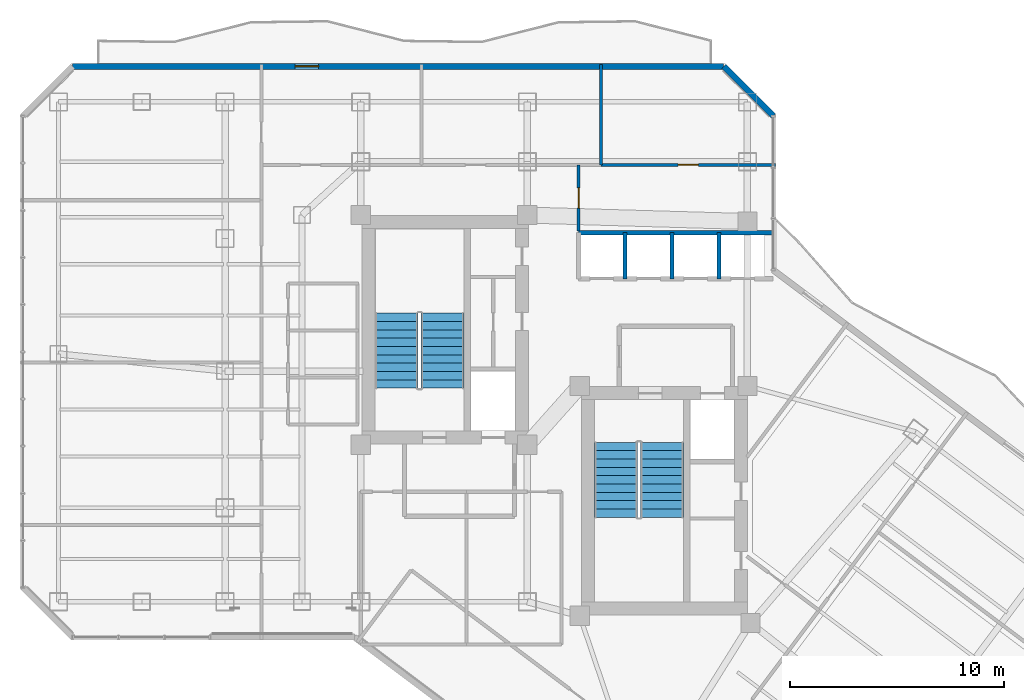
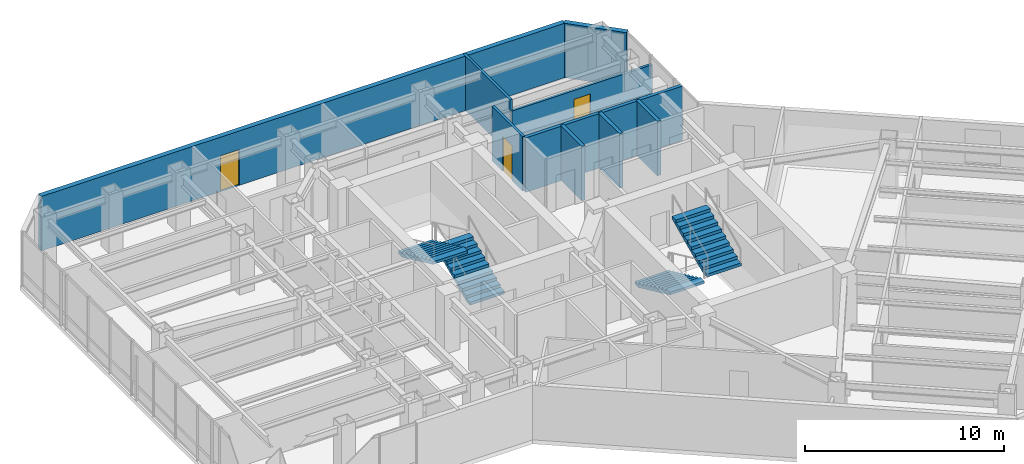
# One storey, part 24 of 27: 9 walls, 4 stair flights, 3 doors, 3 openings, 2 elements without a shape of their own.
"""IFC4 building model written with IfcOpenShell, lengths in metres."""

from ifc_helpers import new_model, si_unit, direction, frame, frame_2d, origin, place, context, subcontext, project, spatial, polyline, rectangle, outline, extrude, material, layer, layer_set, type_object, element, fill, aggregate, save


model = new_model("IFC4")

# Units and contexts
model_context = context("Model", 3, precision=1e-05, world=origin(), true_north=direction((0.0, 1.0)))
body_context = subcontext(model_context, "Body", "Model", "MODEL_VIEW")
ifc_project = project(units=[si_unit("LENGTHUNIT", "METRE"), si_unit("AREAUNIT", "SQUARE_METRE"), si_unit("VOLUMEUNIT", "CUBIC_METRE"), si_unit("PLANEANGLEUNIT", "RADIAN"), si_unit("MASSUNIT", "GRAM", prefix="KILO")], contexts=[model_context])

# Site, building, storey
site_placement = place(None, origin())
site = spatial("IfcSite", under=ifc_project, at=site_placement, CompositionType="ELEMENT")
building_placement = place(site_placement, origin())
building = spatial("IfcBuilding", under=site, at=building_placement, Name="Hatsunagi Terrace Concourse", CompositionType="ELEMENT")
storey_placement = place(building_placement, frame((0.0, 0.0, 142.050048828125)))
storey = spatial("IfcBuildingStorey", under=building, at=storey_placement, Name="L37", CompositionType="ELEMENT", Elevation=142.050048828125)

# Wall
ifc_material_1 = material(Name="Acoustic mineral board", Category="gypsum")
ifc_layer_1 = layer(ifc_material_1, 0.14990234375)
ifc_layer_set_1 = layer_set([ifc_layer_1], Name="PartitionWall_EI60_150")
wall_type_1 = type_object("IfcWallType", Name="PartitionWall_EI60_150", PredefinedType="PARTITIONING", material=ifc_layer_set_1)
wall_1_placement = place(storey_placement, frame((36.800048828125, 45.64990234375, 0.0), z_axis=(0.0, 0.0, 1.0), x_axis=(0.0, 1.0, 0.0)))
element("IfcWall", 1, at=wall_1_placement, inside=storey, type_object=wall_type_1, Name="Interior Partition IW-L37-043", PredefinedType="PARTITIONING", context=body_context, shape_type="SweptSolid", body=[
    extrude(rectangle(XDim=4.710205078125, YDim=0.14990234375, at=frame_2d((2.35498046875, 0.0))), origin(), (0.0, 0.0, 1.0), 3.349853515625),
])

# Wall, opening, door
wall_2_placement = place(storey_placement, frame((36.800048828125, 45.64990234375, 0.0), z_axis=(0.0, 0.0, 1.0), x_axis=(1.0, 0.0, 0.0)))
wall_2 = element("IfcWall", 2, at=wall_2_placement, inside=storey, type_object=wall_type_1, Name="Interior Partition IW-L37-044", PredefinedType="PARTITIONING", context=body_context, shape_type="SweptSolid", body=[
    extrude(rectangle(XDim=8.159912109375, YDim=0.14990234375, at=frame_2d((4.080078125, 0.0))), origin(), (0.0, 0.0, 1.0), 2.695068359375),
])
opening_1_placement = place(wall_2_placement, frame((3.60498046875, 0.0, 0.0)))
opening_1 = element("IfcOpeningElement", 3, at=opening_1_placement, cuts=wall_2, Name="Opening DR-095", PredefinedType="OPENING", context=body_context, shape_type="SweptSolid", body=[
    extrude(rectangle(XDim=0.949951171875, YDim=2.14990234375, at=frame_2d((0.47509765625, 1.074951171875))), frame((0.0, 0.0849609375, 0.0), z_axis=(0.0, -1.0, 0.0), x_axis=(1.0, 0.0, 0.0)), (0.0, 0.0, 1.0), 0.169921875),
])
ifc_material_2 = material(Name="Hardwood timber", Category="wood")
door_type_1 = type_object("IfcDoorType", Name="InteriorSuiteDoor_EI30_950", OperationType="NOTDEFINED", PredefinedType="DOOR", material=ifc_material_2)
door_1_placement = place(opening_1_placement, origin())
door_1 = element("IfcDoor", 4, at=door_1_placement, inside=storey, type_object=door_type_1, Name="Boardroom L37-ON3 Door", OperationType="SINGLE_SWING_RIGHT", OverallHeight=2.14990234375, OverallWidth=0.949951171875, PredefinedType="DOOR", context=body_context, shape_type="SweptSolid", body=[
    extrude(rectangle(XDim=0.949951171875, YDim=2.14990234375, at=frame_2d((0.47509765625, 1.074951171875))), frame((0.0, 0.02490234375, 0.0), z_axis=(0.0, -1.0, 0.0), x_axis=(1.0, 0.0, 0.0)), (0.0, 0.0, 1.0), 0.050048828125),
])
fill(opening_1, door_1)

wall_3_placement = place(storey_placement, frame((35.75, 42.550048828125, 0.0), z_axis=(0.0, 0.0, 1.0), x_axis=(0.0, 1.0, 0.0)))
wall_3 = element("IfcWall", 5, at=wall_3_placement, inside=storey, type_object=wall_type_1, Name="Interior Partition IW-L37-053", PredefinedType="PARTITIONING", context=body_context, shape_type="SweptSolid", body=[
    extrude(rectangle(XDim=3.099853515625, YDim=0.14990234375, at=frame_2d((1.5498046875, 0.0))), origin(), (0.0, 0.0, 1.0), 3.349853515625),
])
opening_2_placement = place(wall_3_placement, frame((1.074951171875, 0.0, 0.0)))
opening_2 = element("IfcOpeningElement", 6, at=opening_2_placement, cuts=wall_3, Name="Opening DR-095", PredefinedType="OPENING", context=body_context, shape_type="SweptSolid", body=[
    extrude(rectangle(XDim=0.949951171875, YDim=2.14990234375, at=frame_2d((0.47509765625, 1.074951171875))), frame((0.0, 0.0849609375, 0.0), z_axis=(0.0, -1.0, 0.0), x_axis=(1.0, 0.0, 0.0)), (0.0, 0.0, 1.0), 0.169921875),
])
door_2_placement = place(opening_2_placement, origin())
door_2 = element("IfcDoor", 7, at=door_2_placement, inside=storey, type_object=door_type_1, Name="Executive Briefing Room L37-ONEB Door", OperationType="SINGLE_SWING_RIGHT", OverallHeight=2.14990234375, OverallWidth=0.949951171875, PredefinedType="DOOR", context=body_context, shape_type="SweptSolid", body=[
    extrude(rectangle(XDim=0.949951171875, YDim=2.14990234375, at=frame_2d((0.47509765625, 1.074951171875))), frame((0.0, 0.02490234375, 0.0), z_axis=(0.0, -1.0, 0.0), x_axis=(1.0, 0.0, 0.0)), (0.0, 0.0, 1.0), 0.050048828125),
])
fill(opening_2, door_2)

# Walls
ifc_material_3 = material(Name="Acoustic mineral board", Category="gypsum")
ifc_layer_2 = layer(ifc_material_3, 0.199951171875)
ifc_layer_set_2 = layer_set([ifc_layer_2], Name="ShaftWall_EI120_200")
wall_type_2 = type_object("IfcWallType", Name="ShaftWall_EI120_200", PredefinedType="STANDARD", material=ifc_layer_set_2)
wall_4_placement = place(storey_placement, frame((35.75, 42.47998046875, 0.0), z_axis=(0.0, 0.0, 1.0), x_axis=(1.0, 0.0, 0.0)))
element("IfcWall", 8, at=wall_4_placement, inside=storey, type_object=wall_type_2, Name="Interior Partition IW-L37-012", PredefinedType="STANDARD", context=body_context, shape_type="SweptSolid", body=[
    extrude(rectangle(XDim=9.110107421875, YDim=0.199951171875, at=frame_2d((4.55517578125, 0.0))), origin(), (0.0, 0.0, 1.0), 3.349853515625),
])
for number, where, z_axis, x_axis, name in (
    (9, (37.919921875, 40.320068359375, 0.0), (0.0, 0.0, 1.0), (0.0, 1.0, 0.0), "Interior Partition IW-L37-014"),
    (10, (40.1201171875, 40.320068359375, 0.0), (0.0, 0.0, 1.0), (0.0, 1.0, 0.0), "Interior Partition IW-L37-015"),
    (11, (42.320068359375, 40.320068359375, 0.0), (0.0, 0.0, 1.0), (0.0, 1.0, 0.0), "Interior Partition IW-L37-016"),
):
    element("IfcWall", number, at=place(storey_placement, frame(where, z_axis=z_axis, x_axis=x_axis)), inside=storey, type_object=wall_type_2, Name=name, PredefinedType="STANDARD", context=body_context, shape_type="SweptSolid", body=[
        extrude(rectangle(XDim=2.159912109375, YDim=0.199951171875, at=frame_2d((1.080078125, 0.0))), origin(), (0.0, 0.0, 1.0), 3.349853515625),
    ])

# Wall, opening, door
ifc_material_4 = material(Name="Autoclaved Lightweight Concrete and Terracotta Cladding", Category="masonry")
ifc_layer_3 = layer(ifc_material_4, 0.280029296875)
ifc_layer_set_3 = layer_set([ifc_layer_3], Name="TerracottaSpandrelWall_280")
wall_type_3 = type_object("IfcWallType", Name="TerracottaSpandrelWall_280", PredefinedType="STANDARD", material=ifc_layer_set_3)
wall_5_placement = place(storey_placement, frame((12.05810546875, 50.260009765625, 0.0), z_axis=(0.0, 0.0, 1.0), x_axis=(1.0, 0.0, 0.0)))
wall_5 = element("IfcWall", 12, at=wall_5_placement, inside=storey, type_object=wall_type_3, Name="Exterior Spandrel Wall EW-L37-11", PredefinedType="STANDARD", context=body_context, shape_type="SweptSolid", body=[
    extrude(rectangle(XDim=30.48388671875, YDim=0.280029296875, at=frame_2d((15.241943359375, 0.0))), origin(), (0.0, 0.0, 1.0), 3.349853515625),
])
opening_3_placement = place(wall_5_placement, frame((10.424072265625, 0.0, 0.0)))
opening_3 = element("IfcOpeningElement", 13, at=opening_3_placement, cuts=wall_5, Name="Opening BD-01", PredefinedType="OPENING", context=body_context, shape_type="SweptSolid", body=[
    extrude(rectangle(XDim=1.10009765625, YDim=2.199951171875, at=frame_2d((0.550048828125, 1.10009765625))), frame((0.0, 0.14990234375, 0.0), z_axis=(0.0, -1.0, 0.0), x_axis=(1.0, 0.0, 0.0)), (0.0, 0.0, 1.0), 0.300048828125),
])
ifc_material_5 = material(Name="Galvanised Steel and Laminated Safety Glass", Category="steel")
door_type_2 = type_object("IfcDoorType", Name="BalconyTerraceAccessDoor_1100x2200", OperationType="SINGLE_SWING_LEFT", PredefinedType="DOOR", material=ifc_material_5)
door_3_placement = place(opening_3_placement, origin())
door_3 = element("IfcDoor", 14, at=door_3_placement, inside=storey, type_object=door_type_2, Name="Engawa Balcony Door L37-BN", OperationType="SINGLE_SWING_RIGHT", OverallHeight=2.199951171875, OverallWidth=1.10009765625, PredefinedType="DOOR", context=body_context, shape_type="SweptSolid", body=[
    extrude(rectangle(XDim=1.10009765625, YDim=2.199951171875, at=frame_2d((0.550048828125, 1.10009765625))), frame((0.0, 0.02490234375, 0.0), z_axis=(0.0, -1.0, 0.0), x_axis=(1.0, 0.0, 0.0)), (0.0, 0.0, 1.0), 0.050048828125),
])
fill(opening_3, door_3)

# Wall
wall_6_placement = place(storey_placement, frame((42.5419921875, 50.260009765625, 0.0), z_axis=(0.0, 0.0, 1.0), x_axis=(0.707106781187, -0.707106781187, 0.0)))
element("IfcWall", 15, at=wall_6_placement, inside=storey, type_object=wall_type_3, Name="Exterior Spandrel Wall EW-L37-12", PredefinedType="STANDARD", context=body_context, shape_type="SweptSolid", body=[
    extrude(rectangle(XDim=3.2783203125, YDim=0.280029296875, at=frame_2d((1.63916015625, 0.0))), origin(), (0.0, 0.0, 1.0), 3.349853515625),
])

# Stair, stair flights
ifc_material_6 = material(Name="Concrete Fc42", Category="concrete")
stair_type = type_object("IfcStairType", Name="DoglegExitStair_Tower2000_20R_180", PredefinedType="HALF_TURN_STAIR", material=ifc_material_6)
stair_1_placement = place(storey_placement, origin())
stair_1 = element("IfcStair", 16, at=stair_1_placement, inside=storey, type_object=stair_type, Name="L37 Core A Protected Exit Stair ST-A", PredefinedType="HALF_TURN_STAIR")
ifc_material_7 = material(Name="Concrete Fc42", Category="concrete")
stair_flight_type = type_object("IfcStairFlightType", Name="DoglegStairFlight_Tower2000_20R_180", PredefinedType="STRAIGHT", material=ifc_material_7)
stair_flight_1_placement = place(storey_placement, frame((29.3798828125, 35.199951171875, 0.0), z_axis=(0.0, 0.0, 1.0), x_axis=(0.0, 1.0, 0.0)))
stair_flight_1 = element("IfcStairFlight", 17, at=stair_flight_1_placement, type_object=stair_flight_type, Name="ST-A flight 1", NumberOfRisers=10, NumberOfTreads=9, PredefinedType="STRAIGHT", RiserHeight=0.18, TreadLength=0.39, context=body_context, shape_type="SweptSolid", body=[
    extrude(outline(polyline([(0.0, 0.0), (0.0, 0.179931640625), (0.389892578125, 0.179931640625), (0.389892578125, 0.360107421875), (0.780029296875, 0.360107421875), (0.780029296875, 0.5400390625), (1.169921875, 0.5400390625), (1.169921875, 0.719970703125), (1.56005859375, 0.719970703125), (1.56005859375, 0.89990234375), (1.949951171875, 0.89990234375), (1.949951171875, 1.080078125), (2.340087890625, 1.080078125), (2.340087890625, 1.260009765625), (2.72998046875, 1.260009765625), (2.72998046875, 1.43994140625), (3.1201171875, 1.43994140625), (3.1201171875, 1.6201171875), (3.510009765625, 1.6201171875), (3.510009765625, 1.800048828125), (3.510009765625, 1.454833984375), (0.357666015625, 0.0), (0.0, 0.0)])), frame((0.0, 1.0, 0.0), z_axis=(0.0, -1.0, 0.0), x_axis=(1.0, 0.0, 0.0)), (0.0, 0.0, 1.0), 2.0),
])
stair_flight_2_placement = place(storey_placement, frame((27.22998046875, 38.7099609375, 1.800048828125), z_axis=(0.0, 0.0, 1.0), x_axis=(0.0, -1.0, 0.0)))
stair_flight_2 = element("IfcStairFlight", 18, at=stair_flight_2_placement, type_object=stair_flight_type, Name="ST-A flight 2", NumberOfRisers=10, NumberOfTreads=9, PredefinedType="STRAIGHT", RiserHeight=0.18, TreadLength=0.39, context=body_context, shape_type="SweptSolid", body=[
    extrude(outline(polyline([(0.0, 0.0), (0.0, 0.179931640625), (0.389892578125, 0.179931640625), (0.389892578125, 0.360107421875), (0.780029296875, 0.360107421875), (0.780029296875, 0.5400390625), (1.169921875, 0.5400390625), (1.169921875, 0.719970703125), (1.56005859375, 0.719970703125), (1.56005859375, 0.89990234375), (1.949951171875, 0.89990234375), (1.949951171875, 1.080078125), (2.340087890625, 1.080078125), (2.340087890625, 1.260009765625), (2.72998046875, 1.260009765625), (2.72998046875, 1.43994140625), (3.1201171875, 1.43994140625), (3.1201171875, 1.6201171875), (3.510009765625, 1.6201171875), (3.510009765625, 1.800048828125), (3.510009765625, 1.454833984375), (0.357666015625, 0.0), (0.0, 0.0)])), frame((0.0, 1.0, 0.0), z_axis=(0.0, -1.0, 0.0), x_axis=(1.0, 0.0, 0.0)), (0.0, 0.0, 1.0), 2.0),
])
aggregate(stair_1, [stair_flight_1, stair_flight_2])

stair_2_placement = place(storey_placement, origin())
stair_2 = element("IfcStair", 19, at=stair_2_placement, inside=storey, type_object=stair_type, Name="L37 Core B Protected Exit Stair ST-B", PredefinedType="HALF_TURN_STAIR")
stair_flight_3_placement = place(storey_placement, frame((37.5, 32.659912109375, 0.0), z_axis=(0.0, 0.0, 1.0), x_axis=(0.0, -1.0, 0.0)))
stair_flight_3 = element("IfcStairFlight", 20, at=stair_flight_3_placement, type_object=stair_flight_type, Name="ST-B flight 1", NumberOfRisers=10, NumberOfTreads=9, PredefinedType="STRAIGHT", RiserHeight=0.18, TreadLength=0.39, context=body_context, shape_type="SweptSolid", body=[
    extrude(outline(polyline([(0.0, 0.0), (0.0, 0.179931640625), (0.389892578125, 0.179931640625), (0.389892578125, 0.360107421875), (0.780029296875, 0.360107421875), (0.780029296875, 0.5400390625), (1.169921875, 0.5400390625), (1.169921875, 0.719970703125), (1.56005859375, 0.719970703125), (1.56005859375, 0.89990234375), (1.949951171875, 0.89990234375), (1.949951171875, 1.080078125), (2.340087890625, 1.080078125), (2.340087890625, 1.260009765625), (2.72998046875, 1.260009765625), (2.72998046875, 1.43994140625), (3.1201171875, 1.43994140625), (3.1201171875, 1.6201171875), (3.510009765625, 1.6201171875), (3.510009765625, 1.800048828125), (3.510009765625, 1.454833984375), (0.357666015625, 0.0), (0.0, 0.0)])), frame((0.0, 1.0, 0.0), z_axis=(0.0, -1.0, 0.0), x_axis=(1.0, 0.0, 0.0)), (0.0, 0.0, 1.0), 2.0),
])
stair_flight_4_placement = place(storey_placement, frame((39.64990234375, 29.14990234375, 1.800048828125), z_axis=(0.0, 0.0, 1.0), x_axis=(0.0, 1.0, 0.0)))
stair_flight_4 = element("IfcStairFlight", 21, at=stair_flight_4_placement, type_object=stair_flight_type, Name="ST-B flight 2", NumberOfRisers=10, NumberOfTreads=9, PredefinedType="STRAIGHT", RiserHeight=0.18, TreadLength=0.39, context=body_context, shape_type="SweptSolid", body=[
    extrude(outline(polyline([(0.0, 0.0), (0.0, 0.179931640625), (0.389892578125, 0.179931640625), (0.389892578125, 0.360107421875), (0.780029296875, 0.360107421875), (0.780029296875, 0.5400390625), (1.169921875, 0.5400390625), (1.169921875, 0.719970703125), (1.56005859375, 0.719970703125), (1.56005859375, 0.89990234375), (1.949951171875, 0.89990234375), (1.949951171875, 1.080078125), (2.340087890625, 1.080078125), (2.340087890625, 1.260009765625), (2.72998046875, 1.260009765625), (2.72998046875, 1.43994140625), (3.1201171875, 1.43994140625), (3.1201171875, 1.6201171875), (3.510009765625, 1.6201171875), (3.510009765625, 1.800048828125), (3.510009765625, 1.454833984375), (0.357666015625, 0.0), (0.0, 0.0)])), frame((0.0, 1.0, 0.0), z_axis=(0.0, -1.0, 0.0), x_axis=(1.0, 0.0, 0.0)), (0.0, 0.0, 1.0), 2.0),
])
aggregate(stair_2, [stair_flight_3, stair_flight_4])

save(model, "model.ifc")
